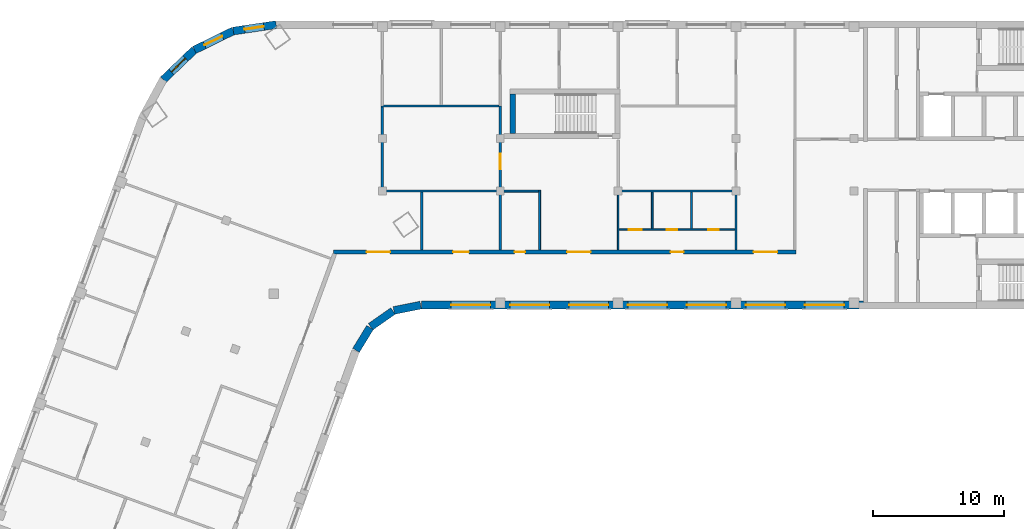
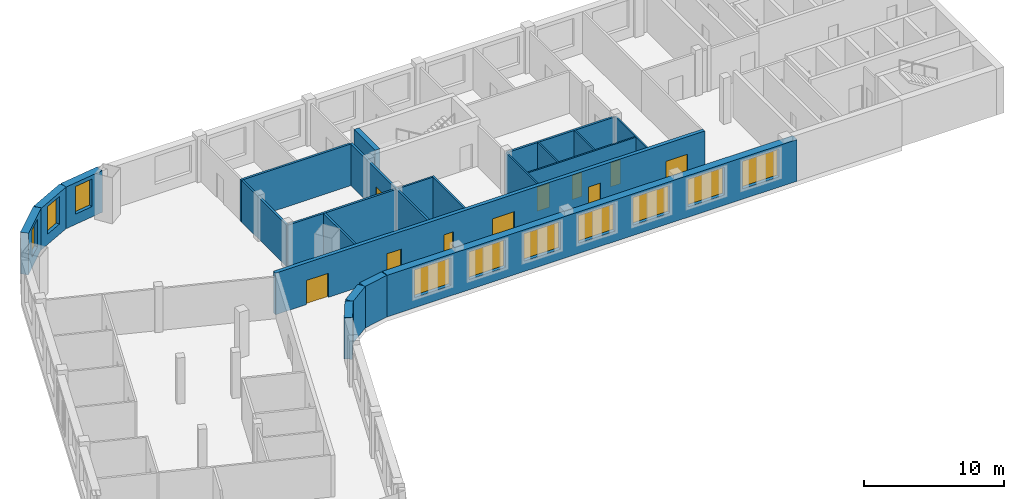
# One storey, part 4 of 8: 22 walls, 10 doors, 10 windows, 20 openings.
"""IFC4 building model written with IfcOpenShell, lengths in metres."""

from ifc_helpers import new_model, si_unit, direction, frame, frame_2d, origin, place, context, subcontext, project, spatial, rectangle, extrude, material, layer, layer_set, type_object, element, fill, save


model = new_model("IFC4")

# Units and contexts
model_context = context("Model", 3, precision=1e-05, world=origin(), true_north=direction((0.0, 1.0)))
body_context = subcontext(model_context, "Body", "Model", "MODEL_VIEW")
ifc_project = project(units=[si_unit("LENGTHUNIT", "METRE"), si_unit("AREAUNIT", "SQUARE_METRE"), si_unit("VOLUMEUNIT", "CUBIC_METRE"), si_unit("PLANEANGLEUNIT", "RADIAN"), si_unit("MASSUNIT", "GRAM", prefix="KILO")], contexts=[model_context])

# Site, building, storey
site_placement = place(None, origin())
site = spatial("IfcSite", under=ifc_project, at=site_placement, CompositionType="ELEMENT")
building_placement = place(site_placement, origin())
building = spatial("IfcBuilding", under=site, at=building_placement, Name="Skarvind Civic Tower", CompositionType="ELEMENT")
storey_placement = place(building_placement, frame((0.0, 0.0, 220.0)))
storey = spatial("IfcBuildingStorey", under=building, at=storey_placement, Name="L52", CompositionType="ELEMENT", Elevation=220.0)

# Walls
ifc_material_1 = material(Name="Acoustic gypsum board on steel studs", Category="steel")
ifc_layer_1 = layer(ifc_material_1, 0.175048828125)
ifc_layer_set_1 = layer_set([ifc_layer_1], Name="ACOUSTIC MEETING-ROOM PARTITION 175")
wall_type_1 = type_object("IfcWallType", Name="ACOUSTIC MEETING-ROOM PARTITION 175", PredefinedType="PARTITIONING", material=ifc_layer_set_1)
wall_1_placement = place(storey_placement, frame((54.25, 126.001953125, 0.0), z_axis=(0.0, 0.0, 1.0), x_axis=(0.0, 1.0, 0.0)))
element("IfcWall", 1, at=wall_1_placement, inside=storey, type_object=wall_type_1, Name="Partition 52.020", PredefinedType="PARTITIONING", context=body_context, shape_type="SweptSolid", body=[
    extrude(rectangle(XDim=6.41015625, YDim=0.175048828125, at=frame_2d((3.205078125, 0.0))), origin(), (0.0, 0.0, 1.0), 3.625),
])
wall_2_placement = place(storey_placement, frame((54.251953125, 126.0, 0.0), z_axis=(0.0, 0.0, 1.0), x_axis=(1.0, 0.0, 0.0)))
element("IfcWall", 2, at=wall_2_placement, inside=storey, type_object=wall_type_1, Name="Partition 52.022", PredefinedType="PARTITIONING", context=body_context, shape_type="SweptSolid", body=[
    extrude(rectangle(XDim=8.91015625, YDim=0.175048828125, at=frame_2d((4.455078125, 0.0))), origin(), (0.0, 0.0, 1.0), 3.625),
])
wall_3_placement = place(storey_placement, frame((57.25, 125.912109375, 0.0), z_axis=(0.0, 0.0, 1.0), x_axis=(0.0, -1.0, 0.0)))
element("IfcWall", 3, at=wall_3_placement, inside=storey, type_object=wall_type_1, Name="Partition 52.023", PredefinedType="PARTITIONING", context=body_context, shape_type="SweptSolid", body=[
    extrude(rectangle(XDim=4.4111328125, YDim=0.175048828125, at=frame_2d((2.20556640625, 0.0))), origin(), (0.0, 0.0, 1.0), 3.625),
])
wall_4_placement = place(storey_placement, frame((63.162109375, 132.5, 0.0), z_axis=(0.0, 0.0, 1.0), x_axis=(-1.0, 0.0, 0.0)))
element("IfcWall", 4, at=wall_4_placement, inside=storey, type_object=wall_type_1, Name="Partition 52.025", PredefinedType="PARTITIONING", context=body_context, shape_type="SweptSolid", body=[
    extrude(rectangle(XDim=9.0, YDim=0.175048828125, at=frame_2d((4.5, 0.0))), origin(), (0.0, 0.0, 1.0), 3.625),
])

# Wall, opening, door
wall_5_placement = place(storey_placement, frame((63.25, 132.5, 0.0), z_axis=(0.0, 0.0, 1.0), x_axis=(0.0, -1.0, 0.0)))
wall_5 = element("IfcWall", 5, at=wall_5_placement, inside=storey, type_object=wall_type_1, Name="Partition 52.026", PredefinedType="PARTITIONING", context=body_context, shape_type="SweptSolid", body=[
    extrude(rectangle(XDim=11.0, YDim=0.175048828125, at=frame_2d((5.5, 0.0))), origin(), (0.0, 0.0, 1.0), 3.625),
])
opening_1_placement = place(wall_5_placement, frame((3.64990234375, 0.0, 0.0)))
opening_1 = element("IfcOpeningElement", 6, at=opening_1_placement, cuts=wall_5, Name="Opening L52-D026", PredefinedType="OPENING", context=body_context, shape_type="SweptSolid", body=[
    extrude(rectangle(XDim=1.199951171875, YDim=2.10009765625, at=frame_2d((0.60009765625, 1.050048828125))), frame((0.0, 0.097412109375, 0.0), z_axis=(0.0, -1.0, 0.0), x_axis=(1.0, 0.0, 0.0)), (0.0, 0.0, 1.0), 0.195068359375),
])
ifc_material_2 = material(Name="Timber door leaf", Category="wood")
door_type_1 = type_object("IfcDoorType", Name="DOOR 1200X2100 DOUBLE TIMBER", OperationType="NOTDEFINED", PredefinedType="DOOR", material=ifc_material_2)
door_1_placement = place(opening_1_placement, origin())
door_1 = element("IfcDoor", 7, at=door_1_placement, inside=storey, type_object=door_type_1, Name="Door L52-D026", OperationType="DOUBLE_DOOR_SINGLE_SWING", OverallHeight=2.10009765625, OverallWidth=1.199951171875, PredefinedType="DOOR", context=body_context, shape_type="SweptSolid", body=[
    extrude(rectangle(XDim=1.199951171875, YDim=2.10009765625, at=frame_2d((0.60009765625, 1.050048828125))), frame((0.0, 0.02490234375, 0.0), z_axis=(0.0, -1.0, 0.0), x_axis=(1.0, 0.0, 0.0)), (0.0, 0.0, 1.0), 0.050048828125),
])
fill(opening_1, door_1)

# Wall
wall_6_placement = place(storey_placement, frame((72.337890625, 126.0, 0.0), z_axis=(0.0, 0.0, 1.0), x_axis=(1.0, 0.0, 0.0)))
element("IfcWall", 8, at=wall_6_placement, inside=storey, type_object=wall_type_1, Name="Partition 52.033", PredefinedType="PARTITIONING", context=body_context, shape_type="SweptSolid", body=[
    extrude(rectangle(XDim=8.82421875, YDim=0.175048828125, at=frame_2d((4.412109375, 0.0))), origin(), (0.0, 0.0, 1.0), 3.625),
])

# Wall, openings, doors
ifc_material_3 = material(Name="Fire-rated gypsum board on steel studs", Category="steel")
ifc_layer_2 = layer(ifc_material_3, 0.300048828125)
ifc_layer_set_2 = layer_set([ifc_layer_2], Name="CORRIDOR WALL 300")
wall_type_2 = type_object("IfcWallType", Name="CORRIDOR WALL 300", PredefinedType="PARTITIONING", material=ifc_layer_set_2)
wall_7_placement = place(storey_placement, frame((50.506103515625, 121.35009765625, 0.0), z_axis=(0.0, 0.0, 1.0), x_axis=(1.0, 0.0, 0.0)))
wall_7 = element("IfcWall", 9, at=wall_7_placement, inside=storey, type_object=wall_type_2, Name="Partition 52.019", PredefinedType="PARTITIONING", context=body_context, shape_type="SweptSolid", body=[
    extrude(rectangle(XDim=35.31884765625, YDim=0.300048828125, at=frame_2d((17.659423828125, 0.0))), origin(), (0.0, 0.0, 1.0), 3.625),
])
opening_2_placement = place(wall_7_placement, frame((25.743896484375, 0.0, 0.0)))
opening_2 = element("IfcOpeningElement", 10, at=opening_2_placement, cuts=wall_7, Name="Opening L52-D002", PredefinedType="OPENING", context=body_context, shape_type="SweptSolid", body=[
    extrude(rectangle(XDim=1.0, YDim=2.10009765625, at=frame_2d((0.5, 1.050048828125))), frame((0.0, 0.159912109375, 0.0), z_axis=(0.0, -1.0, 0.0), x_axis=(1.0, 0.0, 0.0)), (0.0, 0.0, 1.0), 0.320068359375),
])
opening_3_placement = place(wall_7_placement, frame((32.093994140625, 0.0, 0.0)))
opening_3 = element("IfcOpeningElement", 11, at=opening_3_placement, cuts=wall_7, Name="Opening L52-D008", PredefinedType="OPENING", context=body_context, shape_type="SweptSolid", body=[
    extrude(rectangle(XDim=1.800048828125, YDim=2.10009765625, at=frame_2d((0.89990234375, 1.050048828125))), frame((0.0, 0.159912109375, 0.0), z_axis=(0.0, -1.0, 0.0), x_axis=(1.0, 0.0, 0.0)), (0.0, 0.0, 1.0), 0.320068359375),
])
opening_4_placement = place(wall_7_placement, frame((13.843994140625, 0.0, 0.0)))
opening_4 = element("IfcOpeningElement", 12, at=opening_4_placement, cuts=wall_7, Name="Opening L52-D009", PredefinedType="OPENING", context=body_context, shape_type="SweptSolid", body=[
    extrude(rectangle(XDim=0.800048828125, YDim=2.10009765625, at=frame_2d((0.39990234375, 1.050048828125))), frame((0.0, 0.159912109375, 0.0), z_axis=(0.0, -1.0, 0.0), x_axis=(1.0, 0.0, 0.0)), (0.0, 0.0, 1.0), 0.320068359375),
])
opening_5_placement = place(wall_7_placement, frame((9.14404296875, 0.0, 0.0)))
opening_5 = element("IfcOpeningElement", 13, at=opening_5_placement, cuts=wall_7, Name="Opening L52-D010", PredefinedType="OPENING", context=body_context, shape_type="SweptSolid", body=[
    extrude(rectangle(XDim=1.199951171875, YDim=2.10009765625, at=frame_2d((0.60009765625, 1.050048828125))), frame((0.0, 0.159912109375, 0.0), z_axis=(0.0, -1.0, 0.0), x_axis=(1.0, 0.0, 0.0)), (0.0, 0.0, 1.0), 0.320068359375),
])
opening_6_placement = place(wall_7_placement, frame((17.843994140625, 0.0, 0.0)))
opening_6 = element("IfcOpeningElement", 14, at=opening_6_placement, cuts=wall_7, Name="Opening L52-D014", PredefinedType="OPENING", context=body_context, shape_type="SweptSolid", body=[
    extrude(rectangle(XDim=1.800048828125, YDim=2.10009765625, at=frame_2d((0.89990234375, 1.050048828125))), frame((0.0, 0.159912109375, 0.0), z_axis=(0.0, -1.0, 0.0), x_axis=(1.0, 0.0, 0.0)), (0.0, 0.0, 1.0), 0.320068359375),
])
opening_7_placement = place(wall_7_placement, frame((2.54296875, 0.0, 0.0)))
opening_7 = element("IfcOpeningElement", 15, at=opening_7_placement, cuts=wall_7, Name="Opening L52-D024", PredefinedType="OPENING", context=body_context, shape_type="SweptSolid", body=[
    extrude(rectangle(XDim=1.800048828125, YDim=2.10009765625, at=frame_2d((0.89990234375, 1.050048828125))), frame((0.0, 0.159912109375, 0.0), z_axis=(0.0, -1.0, 0.0), x_axis=(1.0, 0.0, 0.0)), (0.0, 0.0, 1.0), 0.320068359375),
])
ifc_material_4 = material(Name="Fire-rated timber door leaf", Category="wood")
door_type_2 = type_object("IfcDoorType", Name="FD1 1000x2100", OperationType="NOTDEFINED", PredefinedType="DOOR", material=ifc_material_4)
door_2_placement = place(opening_2_placement, origin())
door_2 = element("IfcDoor", 16, at=door_2_placement, inside=storey, type_object=door_type_2, Name="Door L52-D002", OperationType="SINGLE_SWING_LEFT", OverallHeight=2.10009765625, OverallWidth=1.0, PredefinedType="DOOR", context=body_context, shape_type="SweptSolid", body=[
    extrude(rectangle(XDim=1.0, YDim=2.10009765625, at=frame_2d((0.5, 1.050048828125))), frame((0.0, 0.02490234375, 0.0), z_axis=(0.0, -1.0, 0.0), x_axis=(1.0, 0.0, 0.0)), (0.0, 0.0, 1.0), 0.050048828125),
])
fill(opening_2, door_2)
door_type_3 = type_object("IfcDoorType", Name="FD4 1800x2100", OperationType="NOTDEFINED", PredefinedType="DOOR", material=ifc_material_4)
door_3_placement = place(opening_3_placement, origin())
door_3 = element("IfcDoor", 17, at=door_3_placement, inside=storey, type_object=door_type_3, Name="Door L52-D008", OperationType="DOUBLE_DOOR_SINGLE_SWING", OverallHeight=2.10009765625, OverallWidth=1.800048828125, PredefinedType="DOOR", context=body_context, shape_type="SweptSolid", body=[
    extrude(rectangle(XDim=1.800048828125, YDim=2.10009765625, at=frame_2d((0.89990234375, 1.050048828125))), frame((0.0, 0.02490234375, 0.0), z_axis=(0.0, -1.0, 0.0), x_axis=(1.0, 0.0, 0.0)), (0.0, 0.0, 1.0), 0.050048828125),
])
fill(opening_3, door_3)
door_4_placement = place(opening_6_placement, origin())
door_4 = element("IfcDoor", 18, at=door_4_placement, inside=storey, type_object=door_type_3, Name="Door L52-D014", OperationType="DOUBLE_DOOR_SINGLE_SWING", OverallHeight=2.10009765625, OverallWidth=1.800048828125, PredefinedType="DOOR", context=body_context, shape_type="SweptSolid", body=[
    extrude(rectangle(XDim=1.800048828125, YDim=2.10009765625, at=frame_2d((0.89990234375, 1.050048828125))), frame((0.0, 0.02490234375, 0.0), z_axis=(0.0, -1.0, 0.0), x_axis=(1.0, 0.0, 0.0)), (0.0, 0.0, 1.0), 0.050048828125),
])
fill(opening_6, door_4)
door_5_placement = place(opening_7_placement, origin())
door_5 = element("IfcDoor", 19, at=door_5_placement, inside=storey, type_object=door_type_3, Name="Door L52-D024", OperationType="DOUBLE_DOOR_SINGLE_SWING", OverallHeight=2.10009765625, OverallWidth=1.800048828125, PredefinedType="DOOR", context=body_context, shape_type="SweptSolid", body=[
    extrude(rectangle(XDim=1.800048828125, YDim=2.10009765625, at=frame_2d((0.89990234375, 1.050048828125))), frame((0.0, 0.02490234375, 0.0), z_axis=(0.0, -1.0, 0.0), x_axis=(1.0, 0.0, 0.0)), (0.0, 0.0, 1.0), 0.050048828125),
])
fill(opening_7, door_5)
door_type_4 = type_object("IfcDoorType", Name="FD5 800x2100", OperationType="NOTDEFINED", PredefinedType="DOOR", material=ifc_material_4)
door_6_placement = place(opening_4_placement, origin())
door_6 = element("IfcDoor", 20, at=door_6_placement, inside=storey, type_object=door_type_4, Name="Door L52-D009", OperationType="SINGLE_SWING_LEFT", OverallHeight=2.10009765625, OverallWidth=0.800048828125, PredefinedType="DOOR", context=body_context, shape_type="SweptSolid", body=[
    extrude(rectangle(XDim=0.800048828125, YDim=2.10009765625, at=frame_2d((0.39990234375, 1.050048828125))), frame((0.0, 0.02490234375, 0.0), z_axis=(0.0, -1.0, 0.0), x_axis=(1.0, 0.0, 0.0)), (0.0, 0.0, 1.0), 0.050048828125),
])
fill(opening_4, door_6)
door_type_5 = type_object("IfcDoorType", Name="FD6 1200x2100 DOUBLE", OperationType="NOTDEFINED", PredefinedType="DOOR", material=ifc_material_4)
door_7_placement = place(opening_5_placement, origin())
door_7 = element("IfcDoor", 21, at=door_7_placement, inside=storey, type_object=door_type_5, Name="Door L52-D010", OperationType="DOUBLE_DOOR_SINGLE_SWING", OverallHeight=2.10009765625, OverallWidth=1.199951171875, PredefinedType="DOOR", context=body_context, shape_type="SweptSolid", body=[
    extrude(rectangle(XDim=1.199951171875, YDim=2.10009765625, at=frame_2d((0.60009765625, 1.050048828125))), frame((0.0, 0.02490234375, 0.0), z_axis=(0.0, -1.0, 0.0), x_axis=(1.0, 0.0, 0.0)), (0.0, 0.0, 1.0), 0.050048828125),
])
fill(opening_5, door_7)

# Walls
ifc_material_5 = material(Name="Concrete C60", Category="concrete")
ifc_layer_3 = layer(ifc_material_5, 0.39990234375)
ifc_layer_set_3 = layer_set([ifc_layer_3], Name="Core wall 400 C60")
wall_type_3 = type_object("IfcWallType", Name="Core wall 400 C60", PredefinedType="SHEAR", material=ifc_layer_set_3)
wall_8_placement = place(storey_placement, frame((64.199951171875, 130.39990234375, 0.0), z_axis=(0.0, 0.0, 1.0), x_axis=(0.0, 1.0, 0.0)))
element("IfcWall", 22, at=wall_8_placement, inside=storey, type_object=wall_type_3, Name="Core wall CM west L52", PredefinedType="SHEAR", context=body_context, shape_type="SweptSolid", body=[
    extrude(rectangle(XDim=3.0, YDim=0.39990234375, at=frame_2d((1.5, 0.0))), origin(), (0.0, 0.0, 1.0), 4.0),
])
ifc_material_6 = material(Name="Plasterboard partition on steel studs", Category="steel")
ifc_layer_4 = layer(ifc_material_6, 0.14990234375)
ifc_layer_set_4 = layer_set([ifc_layer_4], Name="PARTITION 150")
wall_type_4 = type_object("IfcWallType", Name="PARTITION 150", PredefinedType="PARTITIONING", material=ifc_layer_set_4)
wall_9_placement = place(storey_placement, frame((66.25, 121.5, 0.0), z_axis=(0.0, 0.0, 1.0), x_axis=(0.0, 1.0, 0.0)))
element("IfcWall", 23, at=wall_9_placement, inside=storey, type_object=wall_type_4, Name="Partition 52.028", PredefinedType="PARTITIONING", context=body_context, shape_type="SweptSolid", body=[
    extrude(rectangle(XDim=4.574951171875, YDim=0.14990234375, at=frame_2d((2.28759765625, 0.0))), origin(), (0.0, 0.0, 1.0), 3.625),
])
wall_10_placement = place(storey_placement, frame((66.175048828125, 126.0, 0.0), z_axis=(0.0, 0.0, 1.0), x_axis=(-1.0, 0.0, 0.0)))
element("IfcWall", 24, at=wall_10_placement, inside=storey, type_object=wall_type_4, Name="Partition 52.029", PredefinedType="PARTITIONING", context=body_context, shape_type="SweptSolid", body=[
    extrude(rectangle(XDim=2.837158203125, YDim=0.14990234375, at=frame_2d((1.41845703125, 0.0))), origin(), (0.0, 0.0, 1.0), 3.625),
])
ifc_material_7 = material(Name="Moisture-resistant gypsum board on steel studs", Category="steel")
ifc_layer_5 = layer(ifc_material_7, 0.125)
ifc_layer_set_5 = layer_set([ifc_layer_5], Name="WC PARTITION 125")
wall_type_5 = type_object("IfcWallType", Name="WC PARTITION 125", PredefinedType="PARTITIONING", material=ifc_layer_set_5)
wall_11_placement = place(storey_placement, frame((72.25, 121.5, 0.0), z_axis=(0.0, 0.0, 1.0), x_axis=(0.0, 1.0, 0.0)))
element("IfcWall", 25, at=wall_11_placement, inside=storey, type_object=wall_type_5, Name="Partition 52.031", PredefinedType="PARTITIONING", context=body_context, shape_type="SweptSolid", body=[
    extrude(rectangle(XDim=4.5, YDim=0.125, at=frame_2d((2.25, 0.0))), origin(), (0.0, 0.0, 1.0), 3.625),
])

# Wall, openings, doors
wall_12_placement = place(storey_placement, frame((72.31201171875, 123.050048828125, 0.0), z_axis=(0.0, 0.0, 1.0), x_axis=(1.0, 0.0, 0.0)))
wall_12 = element("IfcWall", 26, at=wall_12_placement, inside=storey, type_object=wall_type_5, Name="Partition 52.032", PredefinedType="PARTITIONING", context=body_context, shape_type="SweptSolid", body=[
    extrude(rectangle(XDim=8.8759765625, YDim=0.125, at=frame_2d((4.43798828125, 0.0))), origin(), (0.0, 0.0, 1.0), 3.625),
])
opening_8_placement = place(wall_12_placement, frame((6.81689453125, 0.0, 0.0)))
opening_8 = element("IfcOpeningElement", 27, at=opening_8_placement, cuts=wall_12, Name="Opening L52-D003", PredefinedType="OPENING", context=body_context, shape_type="SweptSolid", body=[
    extrude(rectangle(XDim=0.800048828125, YDim=2.10009765625, at=frame_2d((0.39990234375, 1.050048828125))), frame((0.0, 0.072509765625, 0.0), z_axis=(0.0, -1.0, 0.0), x_axis=(1.0, 0.0, 0.0)), (0.0, 0.0, 1.0), 0.14501953125),
])
opening_9_placement = place(wall_12_placement, frame((3.637939453125, 0.0, 0.0)))
opening_9 = element("IfcOpeningElement", 28, at=opening_9_placement, cuts=wall_12, Name="Opening L52-D004", PredefinedType="OPENING", context=body_context, shape_type="SweptSolid", body=[
    extrude(rectangle(XDim=0.800048828125, YDim=2.10009765625, at=frame_2d((0.39990234375, 1.050048828125))), frame((0.0, 0.072509765625, 0.0), z_axis=(0.0, -1.0, 0.0), x_axis=(1.0, 0.0, 0.0)), (0.0, 0.0, 1.0), 0.14501953125),
])
opening_10_placement = place(wall_12_placement, frame((0.759033203125, 0.0, 0.0)))
opening_10 = element("IfcOpeningElement", 29, at=opening_10_placement, cuts=wall_12, Name="Opening L52-D005", PredefinedType="OPENING", context=body_context, shape_type="SweptSolid", body=[
    extrude(rectangle(XDim=1.0, YDim=2.10009765625, at=frame_2d((0.5, 1.050048828125))), frame((0.0, 0.072509765625, 0.0), z_axis=(0.0, -1.0, 0.0), x_axis=(1.0, 0.0, 0.0)), (0.0, 0.0, 1.0), 0.14501953125),
])
door_type_6 = type_object("IfcDoorType", Name="D1 1000x2100", OperationType="NOTDEFINED", PredefinedType="DOOR", material=ifc_material_2)
door_8_placement = place(opening_10_placement, origin())
door_8 = element("IfcDoor", 30, at=door_8_placement, inside=storey, type_object=door_type_6, Name="Door L52-D005", OperationType="SINGLE_SWING_LEFT", OverallHeight=2.10009765625, OverallWidth=1.0, PredefinedType="DOOR", context=body_context, shape_type="SweptSolid", body=[
    extrude(rectangle(XDim=1.0, YDim=2.10009765625, at=frame_2d((0.5, 1.050048828125))), frame((0.0, 0.02490234375, 0.0), z_axis=(0.0, -1.0, 0.0), x_axis=(1.0, 0.0, 0.0)), (0.0, 0.0, 1.0), 0.050048828125),
])
fill(opening_10, door_8)
door_type_7 = type_object("IfcDoorType", Name="DOOR 800X2100 TIMBER", OperationType="NOTDEFINED", PredefinedType="DOOR", material=ifc_material_2)
door_9_placement = place(opening_8_placement, origin())
door_9 = element("IfcDoor", 31, at=door_9_placement, inside=storey, type_object=door_type_7, Name="Door L52-D003", OperationType="SINGLE_SWING_RIGHT", OverallHeight=2.10009765625, OverallWidth=0.800048828125, PredefinedType="DOOR", context=body_context, shape_type="SweptSolid", body=[
    extrude(rectangle(XDim=0.800048828125, YDim=2.10009765625, at=frame_2d((0.39990234375, 1.050048828125))), frame((0.0, 0.02490234375, 0.0), z_axis=(0.0, -1.0, 0.0), x_axis=(1.0, 0.0, 0.0)), (0.0, 0.0, 1.0), 0.050048828125),
])
fill(opening_8, door_9)
door_10_placement = place(opening_9_placement, origin())
door_10 = element("IfcDoor", 32, at=door_10_placement, inside=storey, type_object=door_type_7, Name="Door L52-D004", OperationType="SINGLE_SWING_LEFT", OverallHeight=2.10009765625, OverallWidth=0.800048828125, PredefinedType="DOOR", context=body_context, shape_type="SweptSolid", body=[
    extrude(rectangle(XDim=0.800048828125, YDim=2.10009765625, at=frame_2d((0.39990234375, 1.050048828125))), frame((0.0, 0.02490234375, 0.0), z_axis=(0.0, -1.0, 0.0), x_axis=(1.0, 0.0, 0.0)), (0.0, 0.0, 1.0), 0.050048828125),
])
fill(opening_9, door_10)

# Walls
for number, where, z_axis, x_axis, name in (
    (33, (74.85009765625, 125.912109375, 0.0), (0.0, 0.0, 1.0), (0.0, -1.0, 0.0), "Partition 52.036"),
    (34, (77.85009765625, 125.912109375, 0.0), (0.0, 0.0, 1.0), (0.0, -1.0, 0.0), "Partition 52.038"),
):
    element("IfcWall", number, at=place(storey_placement, frame(where, z_axis=z_axis, x_axis=x_axis)), inside=storey, type_object=wall_type_5, Name=name, PredefinedType="PARTITIONING", context=body_context, shape_type="SweptSolid", body=[
        extrude(rectangle(XDim=2.800048828125, YDim=0.125, at=frame_2d((1.39990234375, 0.0))), origin(), (0.0, 0.0, 1.0), 3.625),
    ])
wall_13_placement = place(storey_placement, frame((81.25, 121.5, 0.0), z_axis=(0.0, 0.0, 1.0), x_axis=(0.0, 1.0, 0.0)))
element("IfcWall", 35, at=wall_13_placement, inside=storey, type_object=wall_type_5, Name="Partition 52.039", PredefinedType="PARTITIONING", context=body_context, shape_type="SweptSolid", body=[
    extrude(rectangle(XDim=4.5, YDim=0.125, at=frame_2d((2.25, 0.0))), origin(), (0.0, 0.0, 1.0), 3.625),
])
ifc_material_8 = material(Name="Limestone masonry cladding on insulated backing", Category="masonry")
ifc_layer_6 = layer(ifc_material_8, 0.60009765625)
ifc_layer_set_6 = layer_set([ifc_layer_6], Name="WX1 STONE FACADE WALL 600")
wall_type_6 = type_object("IfcWallType", Name="WX1 STONE FACADE WALL 600", PredefinedType="SOLIDWALL", material=ifc_layer_set_6)
wall_14_placement = place(storey_placement, frame((53.30517578125, 115.578369140625, 0.0), z_axis=(0.0, 0.0, 1.0), x_axis=(-0.522402266438, -0.852699168535, 0.0)))
element("IfcWall", 36, at=wall_14_placement, inside=storey, type_object=wall_type_6, Name="STONE FACADE WALL", PredefinedType="SOLIDWALL", context=body_context, shape_type="SweptSolid", body=[
    extrude(rectangle(XDim=2.042236328125, YDim=0.60009765625, at=frame_2d((1.02099609375, 0.0))), origin(), (0.0, 0.0, 1.0), 3.625),
])
for number, where, z_axis, x_axis, name in (
    (37, (55.061767578125, 116.8388671875, 0.0), (0.0, 0.0, 1.0), (-0.819122269495, -0.573618956815, 0.0), "STONE FACADE WALL"),
    (38, (57.17529296875, 117.2939453125, 0.0), (0.0, 0.0, 1.0), (-0.97996099083, -0.19918949885, 0.0), "STONE FACADE WALL"),
):
    element("IfcWall", number, at=place(storey_placement, frame(where, z_axis=z_axis, x_axis=x_axis)), inside=storey, type_object=wall_type_6, Name=name, PredefinedType="SOLIDWALL", context=body_context, shape_type="SweptSolid", body=[
        extrude(rectangle(XDim=2.09228515625, YDim=0.60009765625, at=frame_2d((1.046142578125, 0.0))), origin(), (0.0, 0.0, 1.0), 3.625),
    ])

# Wall, openings, windows
wall_15_placement = place(storey_placement, frame((90.97998046875, 117.300048828125, 0.0), z_axis=(0.0, 0.0, 1.0), x_axis=(-1.0, 0.0, 0.0)))
wall_15 = element("IfcWall", 39, at=wall_15_placement, inside=storey, type_object=wall_type_6, Name="STONE FACADE WALL", PredefinedType="SOLIDWALL", context=body_context, shape_type="SweptSolid", body=[
    extrude(rectangle(XDim=33.744873046875, YDim=0.60009765625, at=frame_2d((16.87255859375, 0.0))), origin(), (0.0, 0.0, 1.0), 3.625),
])
opening_11_placement = place(wall_15_placement, frame((1.47998046875, 0.0, 0.89990234375)))
opening_11 = element("IfcOpeningElement", 40, at=opening_11_placement, cuts=wall_15, Name="Opening WN1", PredefinedType="OPENING", context=body_context, shape_type="SweptSolid", body=[
    extrude(rectangle(XDim=3.0, YDim=2.39990234375, at=frame_2d((1.5, 1.199951171875))), frame((0.0, 0.31005859375, 0.0), z_axis=(0.0, -1.0, 0.0), x_axis=(1.0, 0.0, 0.0)), (0.0, 0.0, 1.0), 0.6201171875),
])
opening_12_placement = place(wall_15_placement, frame((5.97998046875, 0.0, 0.89990234375)))
opening_12 = element("IfcOpeningElement", 41, at=opening_12_placement, cuts=wall_15, Name="Opening WN1", PredefinedType="OPENING", context=body_context, shape_type="SweptSolid", body=[
    extrude(rectangle(XDim=3.0, YDim=2.39990234375, at=frame_2d((1.5, 1.199951171875))), frame((0.0, 0.31005859375, 0.0), z_axis=(0.0, -1.0, 0.0), x_axis=(1.0, 0.0, 0.0)), (0.0, 0.0, 1.0), 0.6201171875),
])
opening_13_placement = place(wall_15_placement, frame((10.47998046875, 0.0, 0.89990234375)))
opening_13 = element("IfcOpeningElement", 42, at=opening_13_placement, cuts=wall_15, Name="Opening WN1", PredefinedType="OPENING", context=body_context, shape_type="SweptSolid", body=[
    extrude(rectangle(XDim=3.0, YDim=2.39990234375, at=frame_2d((1.5, 1.199951171875))), frame((0.0, 0.31005859375, 0.0), z_axis=(0.0, -1.0, 0.0), x_axis=(1.0, 0.0, 0.0)), (0.0, 0.0, 1.0), 0.6201171875),
])
opening_14_placement = place(wall_15_placement, frame((14.97998046875, 0.0, 0.89990234375)))
opening_14 = element("IfcOpeningElement", 43, at=opening_14_placement, cuts=wall_15, Name="Opening WN1", PredefinedType="OPENING", context=body_context, shape_type="SweptSolid", body=[
    extrude(rectangle(XDim=3.0, YDim=2.39990234375, at=frame_2d((1.5, 1.199951171875))), frame((0.0, 0.31005859375, 0.0), z_axis=(0.0, -1.0, 0.0), x_axis=(1.0, 0.0, 0.0)), (0.0, 0.0, 1.0), 0.6201171875),
])
opening_15_placement = place(wall_15_placement, frame((19.47998046875, 0.0, 0.89990234375)))
opening_15 = element("IfcOpeningElement", 44, at=opening_15_placement, cuts=wall_15, Name="Opening WN1", PredefinedType="OPENING", context=body_context, shape_type="SweptSolid", body=[
    extrude(rectangle(XDim=3.0, YDim=2.39990234375, at=frame_2d((1.5, 1.199951171875))), frame((0.0, 0.31005859375, 0.0), z_axis=(0.0, -1.0, 0.0), x_axis=(1.0, 0.0, 0.0)), (0.0, 0.0, 1.0), 0.6201171875),
])
opening_16_placement = place(wall_15_placement, frame((23.97998046875, 0.0, 0.89990234375)))
opening_16 = element("IfcOpeningElement", 45, at=opening_16_placement, cuts=wall_15, Name="Opening WN1", PredefinedType="OPENING", context=body_context, shape_type="SweptSolid", body=[
    extrude(rectangle(XDim=3.0, YDim=2.39990234375, at=frame_2d((1.5, 1.199951171875))), frame((0.0, 0.31005859375, 0.0), z_axis=(0.0, -1.0, 0.0), x_axis=(1.0, 0.0, 0.0)), (0.0, 0.0, 1.0), 0.6201171875),
])
opening_17_placement = place(wall_15_placement, frame((28.47998046875, 0.0, 0.89990234375)))
opening_17 = element("IfcOpeningElement", 46, at=opening_17_placement, cuts=wall_15, Name="Opening WN1", PredefinedType="OPENING", context=body_context, shape_type="SweptSolid", body=[
    extrude(rectangle(XDim=3.0, YDim=2.39990234375, at=frame_2d((1.5, 1.199951171875))), frame((0.0, 0.31005859375, 0.0), z_axis=(0.0, -1.0, 0.0), x_axis=(1.0, 0.0, 0.0)), (0.0, 0.0, 1.0), 0.6201171875),
])
ifc_material_9 = material(Name="Timber frame, double glazing, timber-lined reveal", Category="wood")
window_type_1 = type_object("IfcWindowType", Name="WN1 PUNCHED STONE WINDOW 3000 x 2400", PartitioningType="SINGLE_PANEL", PredefinedType="WINDOW", material=ifc_material_9)
window_1_placement = place(opening_11_placement, origin())
window_1 = element("IfcWindow", 47, at=window_1_placement, inside=storey, type_object=window_type_1, Name="WN1 WINDOW", OverallHeight=2.39990234375, OverallWidth=3.0, PartitioningType="SINGLE_PANEL", PredefinedType="WINDOW", context=body_context, shape_type="SweptSolid", body=[
    extrude(rectangle(XDim=3.0, YDim=2.39990234375, at=frame_2d((1.5, 1.199951171875))), frame((0.0, 0.030029296875, 0.0), z_axis=(0.0, -1.0, 0.0), x_axis=(1.0, 0.0, 0.0)), (0.0, 0.0, 1.0), 0.06005859375),
])
fill(opening_11, window_1)
window_2_placement = place(opening_12_placement, origin())
window_2 = element("IfcWindow", 48, at=window_2_placement, inside=storey, type_object=window_type_1, Name="WN1 WINDOW", OverallHeight=2.39990234375, OverallWidth=3.0, PartitioningType="SINGLE_PANEL", PredefinedType="WINDOW", context=body_context, shape_type="SweptSolid", body=[
    extrude(rectangle(XDim=3.0, YDim=2.39990234375, at=frame_2d((1.5, 1.199951171875))), frame((0.0, 0.030029296875, 0.0), z_axis=(0.0, -1.0, 0.0), x_axis=(1.0, 0.0, 0.0)), (0.0, 0.0, 1.0), 0.06005859375),
])
fill(opening_12, window_2)
window_3_placement = place(opening_13_placement, origin())
window_3 = element("IfcWindow", 49, at=window_3_placement, inside=storey, type_object=window_type_1, Name="WN1 WINDOW", OverallHeight=2.39990234375, OverallWidth=3.0, PartitioningType="SINGLE_PANEL", PredefinedType="WINDOW", context=body_context, shape_type="SweptSolid", body=[
    extrude(rectangle(XDim=3.0, YDim=2.39990234375, at=frame_2d((1.5, 1.199951171875))), frame((0.0, 0.030029296875, 0.0), z_axis=(0.0, -1.0, 0.0), x_axis=(1.0, 0.0, 0.0)), (0.0, 0.0, 1.0), 0.06005859375),
])
fill(opening_13, window_3)
window_4_placement = place(opening_14_placement, origin())
window_4 = element("IfcWindow", 50, at=window_4_placement, inside=storey, type_object=window_type_1, Name="WN1 WINDOW", OverallHeight=2.39990234375, OverallWidth=3.0, PartitioningType="SINGLE_PANEL", PredefinedType="WINDOW", context=body_context, shape_type="SweptSolid", body=[
    extrude(rectangle(XDim=3.0, YDim=2.39990234375, at=frame_2d((1.5, 1.199951171875))), frame((0.0, 0.030029296875, 0.0), z_axis=(0.0, -1.0, 0.0), x_axis=(1.0, 0.0, 0.0)), (0.0, 0.0, 1.0), 0.06005859375),
])
fill(opening_14, window_4)
window_5_placement = place(opening_15_placement, origin())
window_5 = element("IfcWindow", 51, at=window_5_placement, inside=storey, type_object=window_type_1, Name="WN1 WINDOW", OverallHeight=2.39990234375, OverallWidth=3.0, PartitioningType="SINGLE_PANEL", PredefinedType="WINDOW", context=body_context, shape_type="SweptSolid", body=[
    extrude(rectangle(XDim=3.0, YDim=2.39990234375, at=frame_2d((1.5, 1.199951171875))), frame((0.0, 0.030029296875, 0.0), z_axis=(0.0, -1.0, 0.0), x_axis=(1.0, 0.0, 0.0)), (0.0, 0.0, 1.0), 0.06005859375),
])
fill(opening_15, window_5)
window_6_placement = place(opening_16_placement, origin())
window_6 = element("IfcWindow", 52, at=window_6_placement, inside=storey, type_object=window_type_1, Name="WN1 WINDOW", OverallHeight=2.39990234375, OverallWidth=3.0, PartitioningType="SINGLE_PANEL", PredefinedType="WINDOW", context=body_context, shape_type="SweptSolid", body=[
    extrude(rectangle(XDim=3.0, YDim=2.39990234375, at=frame_2d((1.5, 1.199951171875))), frame((0.0, 0.030029296875, 0.0), z_axis=(0.0, -1.0, 0.0), x_axis=(1.0, 0.0, 0.0)), (0.0, 0.0, 1.0), 0.06005859375),
])
fill(opening_16, window_6)
window_7_placement = place(opening_17_placement, origin())
window_7 = element("IfcWindow", 53, at=window_7_placement, inside=storey, type_object=window_type_1, Name="WN1 WINDOW", OverallHeight=2.39990234375, OverallWidth=3.0, PartitioningType="SINGLE_PANEL", PredefinedType="WINDOW", context=body_context, shape_type="SweptSolid", body=[
    extrude(rectangle(XDim=3.0, YDim=2.39990234375, at=frame_2d((1.5, 1.199951171875))), frame((0.0, 0.030029296875, 0.0), z_axis=(0.0, -1.0, 0.0), x_axis=(1.0, 0.0, 0.0)), (0.0, 0.0, 1.0), 0.06005859375),
])
fill(opening_17, window_7)

# Wall, opening, window
wall_16_placement = place(storey_placement, frame((42.872802734375, 138.21728515625, 0.0), z_axis=(0.0, 0.0, 1.0), x_axis=(0.989110792192, 0.14717282619, 0.0)))
wall_16 = element("IfcWall", 54, at=wall_16_placement, inside=storey, type_object=wall_type_6, Name="STONE FACADE WALL", PredefinedType="SOLIDWALL", context=body_context, shape_type="SweptSolid", body=[
    extrude(rectangle(XDim=3.302734375, YDim=0.60009765625, at=frame_2d((1.6513671875, 0.0))), origin(), (0.0, 0.0, 1.0), 3.625),
])
opening_18_placement = place(wall_16_placement, frame((0.8564453125, 0.0, 0.89990234375)))
opening_18 = element("IfcOpeningElement", 55, at=opening_18_placement, cuts=wall_16, Name="Opening WN8", PredefinedType="OPENING", context=body_context, shape_type="SweptSolid", body=[
    extrude(rectangle(XDim=1.5, YDim=2.39990234375, at=frame_2d((0.75, 1.199951171875))), frame((0.0, 0.31005859375, 0.0), z_axis=(0.0, -1.0, 0.0), x_axis=(1.0, 0.0, 0.0)), (0.0, 0.0, 1.0), 0.6201171875),
])
window_type_2 = type_object("IfcWindowType", Name="WN8 ARC BAY WINDOW 1500 x 2400", PartitioningType="SINGLE_PANEL", PredefinedType="WINDOW", material=ifc_material_9)
window_8_placement = place(opening_18_placement, origin())
window_8 = element("IfcWindow", 56, at=window_8_placement, inside=storey, type_object=window_type_2, Name="WN8 WINDOW", OverallHeight=2.39990234375, OverallWidth=1.5, PartitioningType="SINGLE_PANEL", PredefinedType="WINDOW", context=body_context, shape_type="SweptSolid", body=[
    extrude(rectangle(XDim=1.5, YDim=2.39990234375, at=frame_2d((0.75, 1.199951171875))), frame((0.0, 0.030029296875, 0.0), z_axis=(0.0, -1.0, 0.0), x_axis=(1.0, 0.0, 0.0)), (0.0, 0.0, 1.0), 0.06005859375),
])
fill(opening_18, window_8)

wall_17_placement = place(storey_placement, frame((39.9072265625, 136.77587890625, 0.0), z_axis=(0.0, 0.0, 1.0), x_axis=(0.89761231107, 0.440785819889, 0.0)))
wall_17 = element("IfcWall", 57, at=wall_17_placement, inside=storey, type_object=wall_type_6, Name="STONE FACADE WALL", PredefinedType="SOLIDWALL", context=body_context, shape_type="SweptSolid", body=[
    extrude(rectangle(XDim=3.302734375, YDim=0.60009765625, at=frame_2d((1.6513671875, 0.0))), origin(), (0.0, 0.0, 1.0), 3.625),
])
opening_19_placement = place(wall_17_placement, frame((0.8564453125, 0.0, 0.89990234375)))
opening_19 = element("IfcOpeningElement", 58, at=opening_19_placement, cuts=wall_17, Name="Opening WN8", PredefinedType="OPENING", context=body_context, shape_type="SweptSolid", body=[
    extrude(rectangle(XDim=1.5, YDim=2.39990234375, at=frame_2d((0.75, 1.199951171875))), frame((0.0, 0.31005859375, 0.0), z_axis=(0.0, -1.0, 0.0), x_axis=(1.0, 0.0, 0.0)), (0.0, 0.0, 1.0), 0.6201171875),
])
window_9_placement = place(opening_19_placement, origin())
window_9 = element("IfcWindow", 59, at=window_9_placement, inside=storey, type_object=window_type_2, Name="WN8 WINDOW", OverallHeight=2.39990234375, OverallWidth=1.5, PartitioningType="SINGLE_PANEL", PredefinedType="WINDOW", context=body_context, shape_type="SweptSolid", body=[
    extrude(rectangle(XDim=1.5, YDim=2.39990234375, at=frame_2d((0.75, 1.199951171875))), frame((0.0, 0.030029296875, 0.0), z_axis=(0.0, -1.0, 0.0), x_axis=(1.0, 0.0, 0.0)), (0.0, 0.0, 1.0), 0.06005859375),
])
fill(opening_19, window_9)

wall_18_placement = place(storey_placement, frame((37.520263671875, 134.501220703125, 0.0), z_axis=(0.0, 0.0, 1.0), x_axis=(0.72115684486, 0.692771827596, 0.0)))
wall_18 = element("IfcWall", 60, at=wall_18_placement, inside=storey, type_object=wall_type_6, Name="STONE FACADE WALL", PredefinedType="SOLIDWALL", context=body_context, shape_type="SweptSolid", body=[
    extrude(rectangle(XDim=3.302734375, YDim=0.60009765625, at=frame_2d((1.6513671875, 0.0))), origin(), (0.0, 0.0, 1.0), 3.625),
])
opening_20_placement = place(wall_18_placement, frame((0.8564453125, 0.0, 0.89990234375)))
opening_20 = element("IfcOpeningElement", 61, at=opening_20_placement, cuts=wall_18, Name="Opening WN8", PredefinedType="OPENING", context=body_context, shape_type="SweptSolid", body=[
    extrude(rectangle(XDim=1.5, YDim=2.39990234375, at=frame_2d((0.75, 1.199951171875))), frame((0.0, 0.31005859375, 0.0), z_axis=(0.0, -1.0, 0.0), x_axis=(1.0, 0.0, 0.0)), (0.0, 0.0, 1.0), 0.6201171875),
])
window_10_placement = place(opening_20_placement, origin())
window_10 = element("IfcWindow", 62, at=window_10_placement, inside=storey, type_object=window_type_2, Name="WN8 WINDOW", OverallHeight=2.39990234375, OverallWidth=1.5, PartitioningType="SINGLE_PANEL", PredefinedType="WINDOW", context=body_context, shape_type="SweptSolid", body=[
    extrude(rectangle(XDim=1.5, YDim=2.39990234375, at=frame_2d((0.75, 1.199951171875))), frame((0.0, 0.030029296875, 0.0), z_axis=(0.0, -1.0, 0.0), x_axis=(1.0, 0.0, 0.0)), (0.0, 0.0, 1.0), 0.06005859375),
])
fill(opening_20, window_10)

save(model, "model.ifc")
